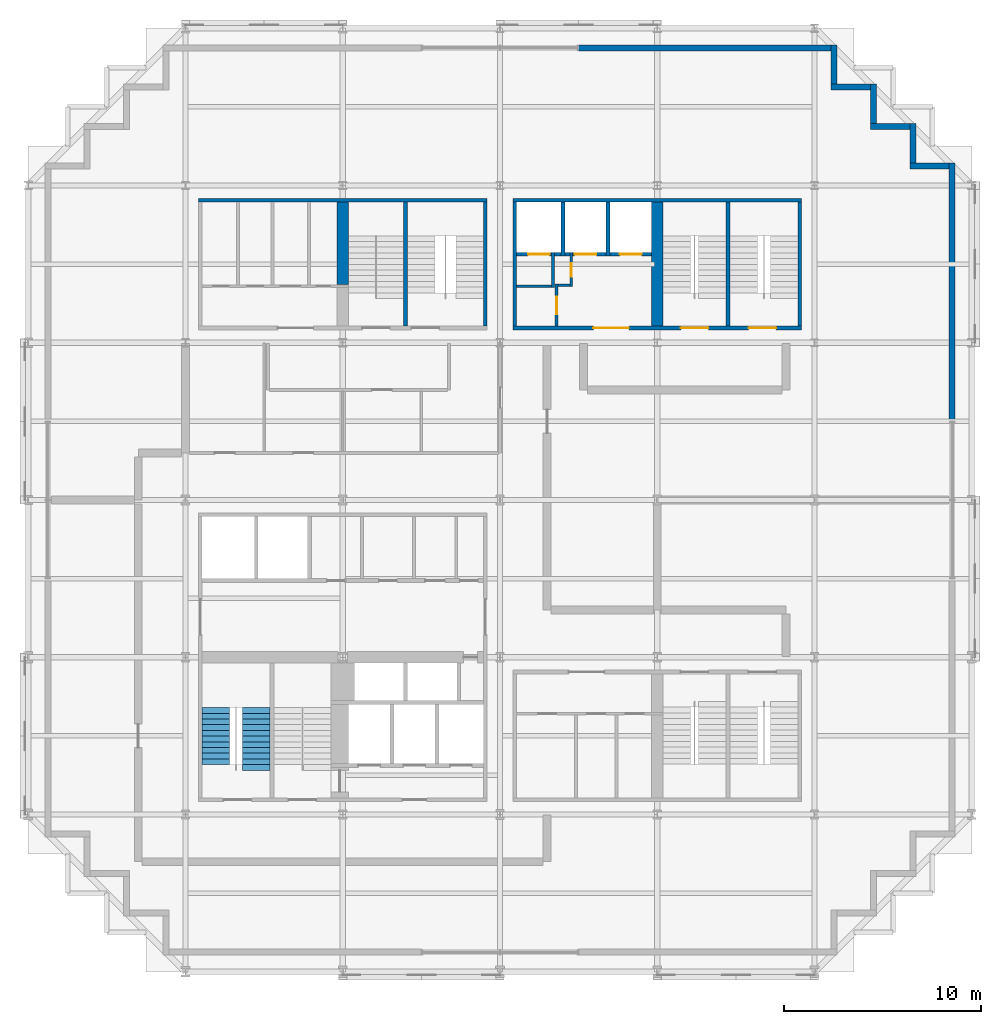
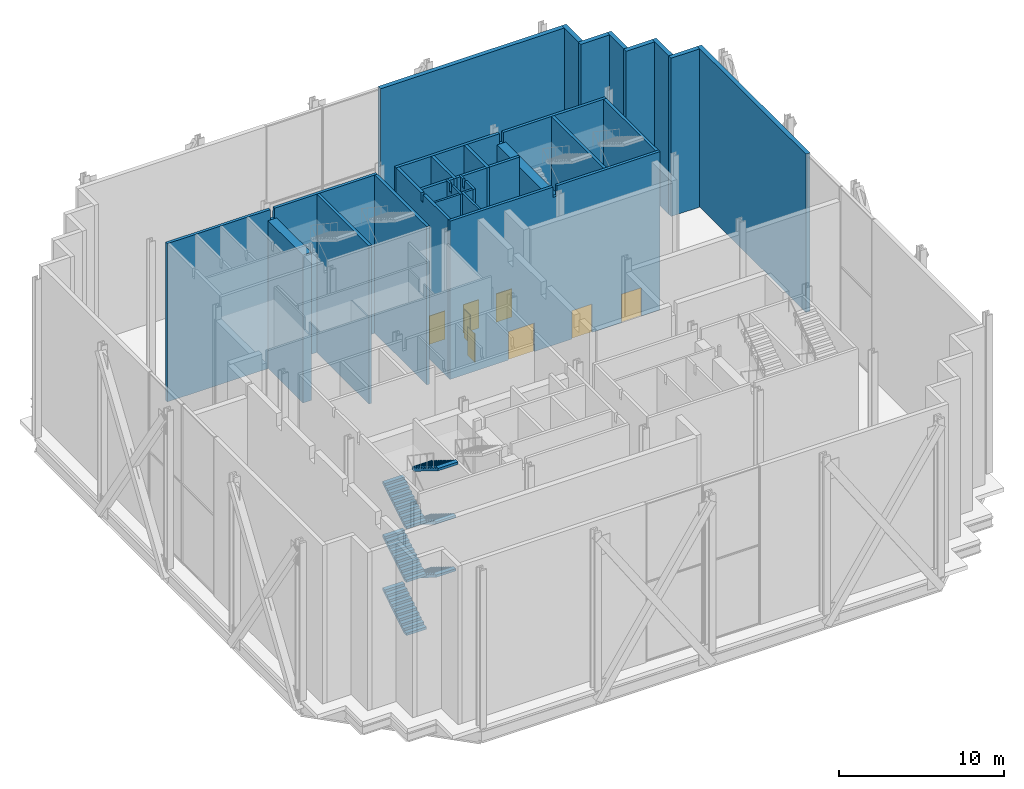
# One storey, part 10 of 14: 30 walls, 8 doors, 6 stair flights, 8 openings, 1 element without a shape of its own.
"""IFC4 building model written with IfcOpenShell, lengths in metres."""

from ifc_helpers import new_model, si_unit, direction, frame, frame_2d, origin, place, context, subcontext, project, spatial, polyline, rectangle, outline, extrude, material, layer, layer_set, type_object, element, fill, aggregate, save


model = new_model("IFC4")

# Units and contexts
model_context = context("Model", 3, precision=1e-05, world=origin(), true_north=direction((0.0, 1.0)))
body_context = subcontext(model_context, "Body", "Model", "MODEL_VIEW")
ifc_project = project(units=[si_unit("LENGTHUNIT", "METRE"), si_unit("AREAUNIT", "SQUARE_METRE"), si_unit("VOLUMEUNIT", "CUBIC_METRE"), si_unit("PLANEANGLEUNIT", "RADIAN"), si_unit("MASSUNIT", "GRAM", prefix="KILO")], contexts=[model_context])

# Site, building, storey
site_placement = place(None, origin())
site = spatial("IfcSite", under=ifc_project, at=site_placement, CompositionType="ELEMENT")
building_placement = place(site_placement, origin())
building = spatial("IfcBuilding", under=site, at=building_placement, Name="Immortelle Media Tower", CompositionType="ELEMENT")
storey_placement = place(building_placement, frame((0.0, 0.0, 9.0)))
storey = spatial("IfcBuildingStorey", under=building, at=storey_placement, Name="L01", CompositionType="ELEMENT", Elevation=9.0)

# Walls
ifc_material_1 = material(Name="Fire-rated gypsum board", Category="gypsum")
ifc_layer_1 = layer(ifc_material_1, 0.02490234375)
ifc_material_2 = material(Name="Steel ASTM A653 SS Gr 50 stud frame with mineral wool", Category="steel")
ifc_layer_2 = layer(ifc_material_2, 0.10009765625)
ifc_layer_3 = layer(ifc_material_1, 0.02490234375)
ifc_layer_set_1 = layer_set([ifc_layer_1, ifc_layer_2, ifc_layer_3], Name="Steel ASTM A653 SS Gr 50 stud frame with mineral wool")
wall_type_1 = type_object("IfcWallType", Name="Core partition 150", PredefinedType="PARTITIONING", material=ifc_layer_set_1)
wall_1_placement = place(storey_placement, frame((24.85009765625, 34.875, 0.0), z_axis=(0.0, 0.0, 1.0), x_axis=(1.0, 0.0, 0.0)))
element("IfcWall", 1, at=wall_1_placement, inside=storey, type_object=wall_type_1, Name="Core partition NE", PredefinedType="PARTITIONING", context=body_context, shape_type="SweptSolid", body=[
    extrude(rectangle(XDim=1.77490234375, YDim=0.14990234375, at=frame_2d((0.887451171875, 0.0))), origin(), (0.0, 0.0, 1.0), 11.699951171875),
])
wall_2_placement = place(storey_placement, frame((26.699951171875, 34.800048828125, 0.0), z_axis=(0.0, 0.0, 1.0), x_axis=(0.0, 1.0, 0.0)))
element("IfcWall", 2, at=wall_2_placement, inside=storey, type_object=wall_type_1, Name="Core partition NE", PredefinedType="PARTITIONING", context=body_context, shape_type="SweptSolid", body=[
    extrude(outline(polyline([(0.0, 0.0), (1.800048828125, 0.0), (1.800048828125, 11.699951171875), (1.319580078125, 11.699951171875), (1.318603515625, 11.08203125), (1.08154296875, 11.08203125), (1.08056640625, 11.699951171875), (0.0, 11.699951171875), (0.0, 0.0)])), frame((0.0, 0.074951171875, 0.0), z_axis=(0.0, -1.0, 0.0), x_axis=(1.0, 0.0, 0.0)), (0.0, 0.0, 1.0), 0.14990234375),
])

# Wall, opening, door
wall_3_placement = place(storey_placement, frame((26.875, 32.85009765625, 0.0), z_axis=(0.0, 0.0, 1.0), x_axis=(0.0, 1.0, 0.0)))
wall_3 = element("IfcWall", 3, at=wall_3_placement, inside=storey, type_object=wall_type_1, Name="Core partition NE", PredefinedType="PARTITIONING", context=body_context, shape_type="SweptSolid", body=[
    extrude(rectangle(XDim=2.14990234375, YDim=0.14990234375, at=frame_2d((1.074951171875, 0.0))), origin(), (0.0, 0.0, 1.0), 11.699951171875),
])
opening_1_placement = place(wall_3_placement, frame((0.60009765625, 0.0, 0.0)))
opening_1 = element("IfcOpeningElement", 4, at=opening_1_placement, cuts=wall_3, Name="Opening P1-K029", PredefinedType="OPENING", context=body_context, shape_type="SweptSolid", body=[
    extrude(rectangle(XDim=0.89990234375, YDim=2.10009765625, at=frame_2d((0.449951171875, 1.050048828125))), frame((0.0, 0.0849609375, 0.0), z_axis=(0.0, -1.0, 0.0), x_axis=(1.0, 0.0, 0.0)), (0.0, 0.0, 1.0), 0.169921875),
])
ifc_material_3 = material(Name="Galvanised steel door leaf and frame ASTM A653", Category="steel")
door_type_1 = type_object("IfcDoorType", Name="Service door 900 x 2100", OperationType="NOTDEFINED", PredefinedType="NOTDEFINED", material=ifc_material_3)
door_1_placement = place(opening_1_placement, origin())
door_1 = element("IfcDoor", 5, at=door_1_placement, inside=storey, type_object=door_type_1, Name="Service P1-K029", OperationType="SINGLE_SWING_LEFT", OverallHeight=2.10009765625, OverallWidth=0.89990234375, PredefinedType="NOTDEFINED", context=body_context, shape_type="SweptSolid", body=[
    extrude(rectangle(XDim=0.89990234375, YDim=2.10009765625, at=frame_2d((0.449951171875, 1.050048828125))), frame((0.0, 0.02490234375, 0.0), z_axis=(0.0, -1.0, 0.0), x_axis=(1.0, 0.0, 0.0)), (0.0, 0.0, 1.0), 0.050048828125),
])
fill(opening_1, door_1)

# Wall
wall_4_placement = place(storey_placement, frame((26.949951171875, 34.925048828125, 0.0), z_axis=(0.0, 0.0, 1.0), x_axis=(1.0, 0.0, 0.0)))
element("IfcWall", 6, at=wall_4_placement, inside=storey, type_object=wall_type_1, Name="Core partition NE", PredefinedType="PARTITIONING", context=body_context, shape_type="SweptSolid", body=[
    extrude(rectangle(XDim=0.60009765625, YDim=0.14990234375, at=frame_2d((0.300048828125, 0.0))), origin(), (0.0, 0.0, 1.0), 11.699951171875),
])

# Wall, opening, door
wall_5_placement = place(storey_placement, frame((27.625, 34.85009765625, 0.0), z_axis=(0.0, 0.0, 1.0), x_axis=(0.0, 1.0, 0.0)))
wall_5 = element("IfcWall", 7, at=wall_5_placement, inside=storey, type_object=wall_type_1, Name="Core partition NE", PredefinedType="PARTITIONING", context=body_context, shape_type="SweptSolid", body=[
    extrude(outline(polyline([(0.0, 0.0), (1.75, 0.0), (1.75, 11.699951171875), (1.26953125, 11.699951171875), (1.2685546875, 11.08203125), (1.031494140625, 11.08203125), (1.030517578125, 11.699951171875), (0.0, 11.699951171875), (0.0, 0.0)])), frame((0.0, 0.074951171875, 0.0), z_axis=(0.0, -1.0, 0.0), x_axis=(1.0, 0.0, 0.0)), (0.0, 0.0, 1.0), 0.14990234375),
])
opening_2_placement = place(wall_5_placement, frame((0.5, 0.0, 0.0)))
opening_2 = element("IfcOpeningElement", 8, at=opening_2_placement, cuts=wall_5, Name="Opening P1-K030", PredefinedType="OPENING", context=body_context, shape_type="SweptSolid", body=[
    extrude(rectangle(XDim=0.699951171875, YDim=2.10009765625, at=frame_2d((0.35009765625, 1.050048828125))), frame((0.0, 0.0849609375, 0.0), z_axis=(0.0, -1.0, 0.0), x_axis=(1.0, 0.0, 0.0)), (0.0, 0.0, 1.0), 0.169921875),
])
door_type_2 = type_object("IfcDoorType", Name="Service door 700 x 2100", OperationType="NOTDEFINED", PredefinedType="NOTDEFINED", material=ifc_material_3)
door_2_placement = place(opening_2_placement, origin())
door_2 = element("IfcDoor", 9, at=door_2_placement, inside=storey, type_object=door_type_2, Name="Service P1-K030", OperationType="SINGLE_SWING_RIGHT", OverallHeight=2.10009765625, OverallWidth=0.699951171875, PredefinedType="NOTDEFINED", context=body_context, shape_type="SweptSolid", body=[
    extrude(rectangle(XDim=0.699951171875, YDim=2.10009765625, at=frame_2d((0.35009765625, 1.050048828125))), frame((0.0, 0.02490234375, 0.0), z_axis=(0.0, -1.0, 0.0), x_axis=(1.0, 0.0, 0.0)), (0.0, 0.0, 1.0), 0.050048828125),
])
fill(opening_2, door_2)

# Wall
ifc_layer_4 = layer(ifc_material_1, 0.03759765625)
ifc_layer_5 = layer(ifc_material_2, 0.125)
ifc_layer_6 = layer(ifc_material_1, 0.03759765625)
ifc_layer_set_2 = layer_set([ifc_layer_4, ifc_layer_5, ifc_layer_6], Name="Steel ASTM A653 SS Gr 50 stud frame with mineral wool")
wall_type_2 = type_object("IfcWallType", Name="Core shaft wall 200", PredefinedType="PARTITIONING", material=ifc_layer_set_2)
wall_6_placement = place(storey_placement, frame((24.75, 32.85009765625, 0.0), z_axis=(0.0, 0.0, 1.0), x_axis=(0.0, 1.0, 0.0)))
element("IfcWall", 10, at=wall_6_placement, inside=storey, type_object=wall_type_2, Name="Core shaft wall NE", PredefinedType="PARTITIONING", context=body_context, shape_type="SweptSolid", body=[
    extrude(outline(polyline([(0.0, 0.0), (6.2998046875, 0.0), (6.300048828125, 11.699951171875), (3.26953125, 11.699951171875), (3.2685546875, 11.08203125), (3.031494140625, 11.08203125), (3.030517578125, 11.699951171875), (0.0, 11.699951171875), (0.0, 0.0)])), frame((0.0, 0.10009765625, 0.0), z_axis=(0.0, -1.0, 0.0), x_axis=(1.0, 0.0, 0.0)), (0.0, 0.0, 1.0), 0.199951171875),
])

# Wall, opening, door
wall_7_placement = place(storey_placement, frame((24.85009765625, 36.5, 0.0), z_axis=(0.0, 0.0, 1.0), x_axis=(1.0, 0.0, 0.0)))
wall_7 = element("IfcWall", 11, at=wall_7_placement, inside=storey, type_object=wall_type_2, Name="Core shaft wall NE", PredefinedType="PARTITIONING", context=body_context, shape_type="SweptSolid", body=[
    extrude(rectangle(XDim=1.77490234375, YDim=0.199951171875, at=frame_2d((0.887451171875, 0.0))), origin(), (0.0, 0.0, 1.0), 11.699951171875),
])
opening_3_placement = place(wall_7_placement, frame((0.574951171875, 0.0, 0.0)))
opening_3 = element("IfcOpeningElement", 12, at=opening_3_placement, cuts=wall_7, Name="Opening LD", PredefinedType="OPENING", context=body_context, shape_type="SweptSolid", body=[
    extrude(rectangle(XDim=1.10009765625, YDim=2.10009765625, at=frame_2d((0.550048828125, 1.050048828125))), frame((0.0, 0.10986328125, 0.0), z_axis=(0.0, -1.0, 0.0), x_axis=(1.0, 0.0, 0.0)), (0.0, 0.0, 1.0), 0.219970703125),
])
ifc_material_4 = material(Name="Stainless steel AISI 304", Category="steel")
door_type_3 = type_object("IfcDoorType", Name="Landing door 1100 x 2100", OperationType="SLIDING_TO_LEFT", PredefinedType="NOTDEFINED", material=ifc_material_4)
door_3_placement = place(opening_3_placement, origin())
door_3 = element("IfcDoor", 13, at=door_3_placement, inside=storey, type_object=door_type_3, Name="Landing door LR1 L01", OperationType="SLIDING_TO_LEFT", OverallHeight=2.10009765625, OverallWidth=1.10009765625, PredefinedType="NOTDEFINED", context=body_context, shape_type="SweptSolid", body=[
    extrude(rectangle(XDim=1.10009765625, YDim=2.10009765625, at=frame_2d((0.550048828125, 1.050048828125))), frame((0.0, 0.02490234375, 0.0), z_axis=(0.0, -1.0, 0.0), x_axis=(1.0, 0.0, 0.0)), (0.0, 0.0, 1.0), 0.050048828125),
])
fill(opening_3, door_3)

# Walls
wall_8_placement = place(storey_placement, frame((26.77490234375, 36.5, 0.0), z_axis=(0.0, 0.0, 1.0), x_axis=(1.0, 0.0, 0.0)))
element("IfcWall", 14, at=wall_8_placement, inside=storey, type_object=wall_type_2, Name="Core shaft wall NE", PredefinedType="PARTITIONING", context=body_context, shape_type="SweptSolid", body=[
    extrude(rectangle(XDim=0.3251953125, YDim=0.199951171875, at=frame_2d((0.16259765625, 0.0))), origin(), (0.0, 0.0, 1.0), 11.699951171875),
])
wall_9_placement = place(storey_placement, frame((27.199951171875, 36.39990234375, 0.0), z_axis=(0.0, 0.0, 1.0), x_axis=(0.0, 1.0, 0.0)))
element("IfcWall", 15, at=wall_9_placement, inside=storey, type_object=wall_type_2, Name="Core shaft wall NE", PredefinedType="PARTITIONING", context=body_context, shape_type="SweptSolid", body=[
    extrude(rectangle(XDim=2.75, YDim=0.199951171875, at=frame_2d((1.375, 0.0))), origin(), (0.0, 0.0, 1.0), 11.699951171875),
])
wall_10_placement = place(storey_placement, frame((27.300048828125, 36.5, 0.0), z_axis=(0.0, 0.0, 1.0), x_axis=(1.0, 0.0, 0.0)))
element("IfcWall", 16, at=wall_10_placement, inside=storey, type_object=wall_type_2, Name="Core shaft wall NE", PredefinedType="PARTITIONING", context=body_context, shape_type="SweptSolid", body=[
    extrude(rectangle(XDim=0.25, YDim=0.199951171875, at=frame_2d((0.125, 0.0))), origin(), (0.0, 0.0, 1.0), 11.699951171875),
])

# Wall, opening, door
wall_11_placement = place(storey_placement, frame((27.699951171875, 36.5, 0.0), z_axis=(0.0, 0.0, 1.0), x_axis=(1.0, 0.0, 0.0)))
wall_11 = element("IfcWall", 17, at=wall_11_placement, inside=storey, type_object=wall_type_2, Name="Core shaft wall NE", PredefinedType="PARTITIONING", context=body_context, shape_type="SweptSolid", body=[
    extrude(rectangle(XDim=1.699951171875, YDim=0.199951171875, at=frame_2d((0.85009765625, 0.0))), origin(), (0.0, 0.0, 1.0), 11.699951171875),
])
opening_4_placement = place(wall_11_placement, frame((0.10009765625, 0.0, 0.0)))
opening_4 = element("IfcOpeningElement", 18, at=opening_4_placement, cuts=wall_11, Name="Opening LD", PredefinedType="OPENING", context=body_context, shape_type="SweptSolid", body=[
    extrude(rectangle(XDim=1.10009765625, YDim=2.10009765625, at=frame_2d((0.550048828125, 1.050048828125))), frame((0.0, 0.10986328125, 0.0), z_axis=(0.0, -1.0, 0.0), x_axis=(1.0, 0.0, 0.0)), (0.0, 0.0, 1.0), 0.219970703125),
])
door_4_placement = place(opening_4_placement, origin())
door_4 = element("IfcDoor", 19, at=door_4_placement, inside=storey, type_object=door_type_3, Name="Landing door LR2 L01", OperationType="SLIDING_TO_LEFT", OverallHeight=2.10009765625, OverallWidth=1.10009765625, PredefinedType="NOTDEFINED", context=body_context, shape_type="SweptSolid", body=[
    extrude(rectangle(XDim=1.10009765625, YDim=2.10009765625, at=frame_2d((0.550048828125, 1.050048828125))), frame((0.0, 0.02490234375, 0.0), z_axis=(0.0, -1.0, 0.0), x_axis=(1.0, 0.0, 0.0)), (0.0, 0.0, 1.0), 0.050048828125),
])
fill(opening_4, door_4)

# Wall
wall_12_placement = place(storey_placement, frame((29.5, 36.39990234375, 0.0), z_axis=(0.0, 0.0, 1.0), x_axis=(0.0, 1.0, 0.0)))
element("IfcWall", 20, at=wall_12_placement, inside=storey, type_object=wall_type_2, Name="Core shaft wall NE", PredefinedType="PARTITIONING", context=body_context, shape_type="SweptSolid", body=[
    extrude(rectangle(XDim=2.75, YDim=0.199951171875, at=frame_2d((1.375, 0.0))), origin(), (0.0, 0.0, 1.0), 11.699951171875),
])

# Wall, opening, door
wall_13_placement = place(storey_placement, frame((29.60009765625, 36.5, 0.0), z_axis=(0.0, 0.0, 1.0), x_axis=(1.0, 0.0, 0.0)))
wall_13 = element("IfcWall", 21, at=wall_13_placement, inside=storey, type_object=wall_type_2, Name="Core shaft wall NE", PredefinedType="PARTITIONING", context=body_context, shape_type="SweptSolid", body=[
    extrude(rectangle(XDim=2.099853515625, YDim=0.199951171875, at=frame_2d((1.0498046875, 0.0))), origin(), (0.0, 0.0, 1.0), 11.699951171875),
])
opening_5_placement = place(wall_13_placement, frame((0.5, 0.0, 0.0)))
opening_5 = element("IfcOpeningElement", 22, at=opening_5_placement, cuts=wall_13, Name="Opening LD", PredefinedType="OPENING", context=body_context, shape_type="SweptSolid", body=[
    extrude(rectangle(XDim=1.10009765625, YDim=2.10009765625, at=frame_2d((0.550048828125, 1.050048828125))), frame((0.0, 0.10986328125, 0.0), z_axis=(0.0, -1.0, 0.0), x_axis=(1.0, 0.0, 0.0)), (0.0, 0.0, 1.0), 0.219970703125),
])
door_5_placement = place(opening_5_placement, origin())
door_5 = element("IfcDoor", 23, at=door_5_placement, inside=storey, type_object=door_type_3, Name="Landing door LR3 L01", OperationType="SLIDING_TO_LEFT", OverallHeight=2.10009765625, OverallWidth=1.10009765625, PredefinedType="NOTDEFINED", context=body_context, shape_type="SweptSolid", body=[
    extrude(rectangle(XDim=1.10009765625, YDim=2.10009765625, at=frame_2d((0.550048828125, 1.050048828125))), frame((0.0, 0.02490234375, 0.0), z_axis=(0.0, -1.0, 0.0), x_axis=(1.0, 0.0, 0.0)), (0.0, 0.0, 1.0), 0.050048828125),
])
fill(opening_5, door_5)

# Walls
ifc_material_5 = material(Name="Pale aluminium cladding panel", Category="aluminium")
ifc_layer_7 = layer(ifc_material_5, 0.030029296875)
ifc_layer_8 = layer(ifc_material_2, 0.257568359375)
ifc_material_6 = material(Name="Moisture-resistant gypsum board", Category="gypsum")
ifc_layer_9 = layer(ifc_material_6, 0.012451171875)
ifc_layer_set_3 = layer_set([ifc_layer_7, ifc_layer_8, ifc_layer_9], Name="Steel ASTM A653 SS Gr 50 stud frame with mineral wool")
wall_type_3 = type_object("IfcWallType", Name="Pale metal clad wall 300", PredefinedType="STANDARD", material=ifc_layer_set_3)
wall_14_placement = place(storey_placement, frame((47.0, 28.0, 0.0), z_axis=(0.0, 0.0, 1.0), x_axis=(0.0, 1.0, 0.0)))
element("IfcWall", 24, at=wall_14_placement, inside=storey, type_object=wall_type_3, Name="Studio wall L01 E 14-3", PredefinedType="STANDARD", context=body_context, shape_type="SweptSolid", body=[
    extrude(rectangle(XDim=13.14990234375, YDim=0.300048828125, at=frame_2d((6.574951171875, 0.0))), origin(), (0.0, 0.0, 1.0), 11.699951171875),
])
for number, where, z_axis, x_axis, name in (
    (25, (46.85009765625, 41.0, 0.0), (0.0, 0.0, 1.0), (-1.0, 0.0, 0.0), "Studio wall L01 N 15"),
    (26, (45.0, 41.14990234375, 0.0), (0.0, 0.0, 1.0), (0.0, 1.0, 0.0), "Studio wall L01 E 16"),
    (27, (44.85009765625, 43.0, 0.0), (0.0, 0.0, 1.0), (-1.0, 0.0, 0.0), "Studio wall L01 N 17"),
    (28, (43.0, 43.14990234375, 0.0), (0.0, 0.0, 1.0), (0.0, 1.0, 0.0), "Studio wall L01 E 18"),
    (29, (42.85009765625, 45.0, 0.0), (0.0, 0.0, 1.0), (-1.0, 0.0, 0.0), "Studio wall L01 N 19"),
    (30, (41.0, 45.14990234375, 0.0), (0.0, 0.0, 1.0), (0.0, 1.0, 0.0), "Studio wall L01 E 20"),
):
    element("IfcWall", number, at=place(storey_placement, frame(where, z_axis=z_axis, x_axis=x_axis)), inside=storey, type_object=wall_type_3, Name=name, PredefinedType="STANDARD", context=body_context, shape_type="SweptSolid", body=[
        extrude(rectangle(XDim=2.0, YDim=0.300048828125, at=frame_2d((1.0, 0.0))), origin(), (0.0, 0.0, 1.0), 11.699951171875),
    ])
wall_15_placement = place(storey_placement, frame((40.85009765625, 47.0, 0.0), z_axis=(0.0, 0.0, 1.0), x_axis=(-1.0, 0.0, 0.0)))
element("IfcWall", 31, at=wall_15_placement, inside=storey, type_object=wall_type_3, Name="Studio wall L01 N 21-1", PredefinedType="STANDARD", context=body_context, shape_type="SweptSolid", body=[
    extrude(rectangle(XDim=12.85009765625, YDim=0.300048828125, at=frame_2d((6.425048828125, 0.0))), origin(), (0.0, 0.0, 1.0), 11.699951171875),
])
ifc_material_7 = material(Name="Concrete C60", Category="concrete")
ifc_layer_10 = layer(ifc_material_7, 0.199951171875)
ifc_layer_set_4 = layer_set([ifc_layer_10], Name="Concrete C60")
wall_type_4 = type_object("IfcWallType", Name="Stair shaft wall 200", PredefinedType="PARTITIONING", material=ifc_layer_set_4)
wall_16_placement = place(storey_placement, frame((8.64990234375, 39.25, 0.0), z_axis=(0.0, 0.0, 1.0), x_axis=(1.0, 0.0, 0.0)))
element("IfcWall", 32, at=wall_16_placement, inside=storey, type_object=wall_type_4, Name="Stair shaft wall NW", PredefinedType="PARTITIONING", context=body_context, shape_type="SweptSolid", body=[
    extrude(outline(polyline([(0.0, 0.0), (14.7001953125, 0.0), (14.699951171875, 11.699951171875), (7.488525390625, 11.699951171875), (7.487548828125, 10.931884765625), (7.21240234375, 10.931884765625), (7.21142578125, 11.699951171875), (0.0, 11.699951171875), (0.0, 0.0)])), frame((0.0, 0.10009765625, 0.0), z_axis=(0.0, -1.0, 0.0), x_axis=(1.0, 0.0, 0.0)), (0.0, 0.0, 1.0), 0.199951171875),
])
for number, where, z_axis, x_axis, name in (
    (33, (19.199951171875, 32.85009765625, 0.0), (0.0, 0.0, 1.0), (0.0, 1.0, 0.0), "Stair shaft wall NW"),
    (34, (23.25, 32.85009765625, 0.0), (0.0, 0.0, 1.0), (0.0, 1.0, 0.0), "Stair shaft wall NW"),
):
    element("IfcWall", number, at=place(storey_placement, frame(where, z_axis=z_axis, x_axis=x_axis)), inside=storey, type_object=wall_type_4, Name=name, PredefinedType="PARTITIONING", context=body_context, shape_type="SweptSolid", body=[
        extrude(rectangle(XDim=6.2998046875, YDim=0.199951171875, at=frame_2d((3.14990234375, 0.0))), origin(), (0.0, 0.0, 1.0), 11.699951171875),
    ])

# Wall, openings, doors
wall_17_placement = place(storey_placement, frame((24.64990234375, 32.75, 0.0), z_axis=(0.0, 0.0, 1.0), x_axis=(1.0, 0.0, 0.0)))
wall_17 = element("IfcWall", 35, at=wall_17_placement, inside=storey, type_object=wall_type_4, Name="Stair shaft wall NE", PredefinedType="PARTITIONING", context=body_context, shape_type="SweptSolid", body=[
    extrude(outline(polyline([(0.0, 0.0), (14.7001953125, 0.0), (14.699951171875, 11.699951171875), (7.488525390625, 11.699951171875), (7.487548828125, 10.931884765625), (7.21240234375, 10.931884765625), (7.21142578125, 11.699951171875), (0.0, 11.699951171875), (0.0, 0.0)])), frame((0.0, 0.10009765625, 0.0), z_axis=(0.0, -1.0, 0.0), x_axis=(1.0, 0.0, 0.0)), (0.0, 0.0, 1.0), 0.199951171875),
])
opening_6_placement = place(wall_17_placement, frame((4.10009765625, 0.0, 0.0)))
opening_6 = element("IfcOpeningElement", 36, at=opening_6_placement, cuts=wall_17, Name="Opening P1-K032", PredefinedType="OPENING", context=body_context, shape_type="SweptSolid", body=[
    extrude(rectangle(XDim=1.800048828125, YDim=2.10009765625, at=frame_2d((0.89990234375, 1.050048828125))), frame((0.0, 0.10986328125, 0.0), z_axis=(0.0, -1.0, 0.0), x_axis=(1.0, 0.0, 0.0)), (0.0, 0.0, 1.0), 0.219970703125),
])
opening_7_placement = place(wall_17_placement, frame((8.550048828125, 0.0, 0.0)))
opening_7 = element("IfcOpeningElement", 37, at=opening_7_placement, cuts=wall_17, Name="Opening P1-K034", PredefinedType="OPENING", context=body_context, shape_type="SweptSolid", body=[
    extrude(rectangle(XDim=1.39990234375, YDim=2.10009765625, at=frame_2d((0.699951171875, 1.050048828125))), frame((0.0, 0.10986328125, 0.0), z_axis=(0.0, -1.0, 0.0), x_axis=(1.0, 0.0, 0.0)), (0.0, 0.0, 1.0), 0.219970703125),
])
opening_8_placement = place(wall_17_placement, frame((12.0, 0.0, 0.0)))
opening_8 = element("IfcOpeningElement", 38, at=opening_8_placement, cuts=wall_17, Name="Opening P1-K035", PredefinedType="OPENING", context=body_context, shape_type="SweptSolid", body=[
    extrude(rectangle(XDim=1.39990234375, YDim=2.10009765625, at=frame_2d((0.699951171875, 1.050048828125))), frame((0.0, 0.10986328125, 0.0), z_axis=(0.0, -1.0, 0.0), x_axis=(1.0, 0.0, 0.0)), (0.0, 0.0, 1.0), 0.219970703125),
])
door_type_4 = type_object("IfcDoorType", Name="Lift lobby door 1800 x 2100", OperationType="DOUBLE_DOOR_SINGLE_SWING", PredefinedType="NOTDEFINED", material=ifc_material_3)
door_6_placement = place(opening_6_placement, origin())
door_6 = element("IfcDoor", 39, at=door_6_placement, inside=storey, type_object=door_type_4, Name="Lift lobby P1-K032", OperationType="DOUBLE_DOOR_SINGLE_SWING", OverallHeight=2.10009765625, OverallWidth=1.800048828125, PredefinedType="NOTDEFINED", context=body_context, shape_type="SweptSolid", body=[
    extrude(rectangle(XDim=1.800048828125, YDim=2.10009765625, at=frame_2d((0.89990234375, 1.050048828125))), frame((0.0, 0.02490234375, 0.0), z_axis=(0.0, -1.0, 0.0), x_axis=(1.0, 0.0, 0.0)), (0.0, 0.0, 1.0), 0.050048828125),
])
fill(opening_6, door_6)
door_type_5 = type_object("IfcDoorType", Name="Stair door 1400 x 2100", OperationType="DOUBLE_DOOR_SINGLE_SWING", PredefinedType="NOTDEFINED", material=ifc_material_3)
door_7_placement = place(opening_7_placement, origin())
door_7 = element("IfcDoor", 40, at=door_7_placement, inside=storey, type_object=door_type_5, Name="Stair P1-K034", OperationType="DOUBLE_DOOR_SINGLE_SWING", OverallHeight=2.10009765625, OverallWidth=1.39990234375, PredefinedType="NOTDEFINED", context=body_context, shape_type="SweptSolid", body=[
    extrude(rectangle(XDim=1.39990234375, YDim=2.10009765625, at=frame_2d((0.699951171875, 1.050048828125))), frame((0.0, 0.02490234375, 0.0), z_axis=(0.0, -1.0, 0.0), x_axis=(1.0, 0.0, 0.0)), (0.0, 0.0, 1.0), 0.050048828125),
])
fill(opening_7, door_7)
door_8_placement = place(opening_8_placement, origin())
door_8 = element("IfcDoor", 41, at=door_8_placement, inside=storey, type_object=door_type_5, Name="Stair P1-K035", OperationType="DOUBLE_DOOR_SINGLE_SWING", OverallHeight=2.10009765625, OverallWidth=1.39990234375, PredefinedType="NOTDEFINED", context=body_context, shape_type="SweptSolid", body=[
    extrude(rectangle(XDim=1.39990234375, YDim=2.10009765625, at=frame_2d((0.699951171875, 1.050048828125))), frame((0.0, 0.02490234375, 0.0), z_axis=(0.0, -1.0, 0.0), x_axis=(1.0, 0.0, 0.0)), (0.0, 0.0, 1.0), 0.050048828125),
])
fill(opening_8, door_8)

# Walls
wall_18_placement = place(storey_placement, frame((24.64990234375, 39.25, 0.0), z_axis=(0.0, 0.0, 1.0), x_axis=(1.0, 0.0, 0.0)))
element("IfcWall", 42, at=wall_18_placement, inside=storey, type_object=wall_type_4, Name="Stair shaft wall NE", PredefinedType="PARTITIONING", context=body_context, shape_type="SweptSolid", body=[
    extrude(outline(polyline([(0.0, 0.0), (14.7001953125, 0.0), (14.699951171875, 11.699951171875), (7.488525390625, 11.699951171875), (7.487548828125, 10.931884765625), (7.21240234375, 10.931884765625), (7.21142578125, 11.699951171875), (0.0, 11.699951171875), (0.0, 0.0)])), frame((0.0, 0.10009765625, 0.0), z_axis=(0.0, -1.0, 0.0), x_axis=(1.0, 0.0, 0.0)), (0.0, 0.0, 1.0), 0.199951171875),
])
for number, where, z_axis, x_axis, name in (
    (43, (35.60009765625, 32.85009765625, 0.0), (0.0, 0.0, 1.0), (0.0, 1.0, 0.0), "Stair shaft wall NE"),
    (44, (39.25, 32.85009765625, 0.0), (0.0, 0.0, 1.0), (0.0, 1.0, 0.0), "Stair shaft wall NE"),
):
    element("IfcWall", number, at=place(storey_placement, frame(where, z_axis=z_axis, x_axis=x_axis)), inside=storey, type_object=wall_type_4, Name=name, PredefinedType="PARTITIONING", context=body_context, shape_type="SweptSolid", body=[
        extrude(rectangle(XDim=6.2998046875, YDim=0.199951171875, at=frame_2d((3.14990234375, 0.0))), origin(), (0.0, 0.0, 1.0), 11.699951171875),
    ])
ifc_layer_11 = layer(ifc_material_7, 0.60009765625)
ifc_layer_set_5 = layer_set([ifc_layer_11], Name="Concrete C60")
wall_type_5 = type_object("IfcWallType", Name="Stair shaft wall 600", PredefinedType="PARTITIONING", material=ifc_layer_set_5)
wall_19_placement = place(storey_placement, frame((16.0, 34.949951171875, 0.0), z_axis=(0.0, 0.0, 1.0), x_axis=(0.0, 1.0, 0.0)))
element("IfcWall", 45, at=wall_19_placement, inside=storey, type_object=wall_type_5, Name="Stair shaft wall NW", PredefinedType="PARTITIONING", context=body_context, shape_type="SweptSolid", body=[
    extrude(rectangle(XDim=4.199951171875, YDim=0.60009765625, at=frame_2d((2.10009765625, 0.0))), origin(), (0.0, 0.0, 1.0), 10.931884765625),
])
wall_20_placement = place(storey_placement, frame((32.0, 32.85009765625, 0.0), z_axis=(0.0, 0.0, 1.0), x_axis=(0.0, 1.0, 0.0)))
element("IfcWall", 46, at=wall_20_placement, inside=storey, type_object=wall_type_5, Name="Stair shaft wall NE", PredefinedType="PARTITIONING", context=body_context, shape_type="SweptSolid", body=[
    extrude(rectangle(XDim=6.2998046875, YDim=0.60009765625, at=frame_2d((3.14990234375, 0.0))), origin(), (0.0, 0.0, 1.0), 10.931884765625),
])

# Stair, stair flights
ifc_material_8 = material(Name="Steel ASTM A992 Gr 50", Category="steel")
stair_type = type_object("IfcStairType", Name="Stair with flights", PredefinedType="DOUBLE_RETURN_STAIR", material=ifc_material_8)
stair_placement = place(storey_placement, origin())
stair = element("IfcStair", 47, at=stair_placement, inside=storey, type_object=stair_type, Name="Exit stair SW1", PredefinedType="DOUBLE_RETURN_STAIR")
stair_flight_type = type_object("IfcStairFlightType", Name="Stair flight 1400", PredefinedType="STRAIGHT", material=ifc_material_8)
stair_flight_1_placement = place(storey_placement, frame((9.550048828125, 10.5400390625, 0.0), z_axis=(0.0, 0.0, 1.0), x_axis=(0.0, 1.0, 0.0)))
stair_flight_1 = element("IfcStairFlight", 48, at=stair_flight_1_placement, type_object=stair_flight_type, Name="ST SW1 flight 1", NumberOfRisers=11, NumberOfTreads=10, PredefinedType="STRAIGHT", RiserHeight=0.179104478, TreadLength=0.29, context=body_context, shape_type="SweptSolid", body=[
    extrude(outline(polyline([(0.0, 0.0), (0.0, 0.17919921875), (0.2900390625, 0.17919921875), (0.2900390625, 0.358154296875), (0.580078125, 0.358154296875), (0.580078125, 0.537353515625), (0.8701171875, 0.537353515625), (0.8701171875, 0.71630859375), (1.159912109375, 0.71630859375), (1.159912109375, 0.8955078125), (1.449951171875, 0.8955078125), (1.449951171875, 1.07470703125), (1.739990234375, 1.07470703125), (1.739990234375, 1.253662109375), (2.030029296875, 1.253662109375), (2.030029296875, 1.432861328125), (2.320068359375, 1.432861328125), (2.320068359375, 1.612060546875), (2.610107421875, 1.612060546875), (2.610107421875, 1.791015625), (2.89990234375, 1.791015625), (2.89990234375, 1.97021484375), (2.89990234375, 1.61474609375), (0.28515625, 0.0), (0.0, 0.0)])), frame((0.0, 0.699951171875, 0.0), z_axis=(0.0, -1.0, 0.0), x_axis=(1.0, 0.0, 0.0)), (0.0, 0.0, 1.0), 1.39990234375),
])
stair_flight_2_placement = place(storey_placement, frame((11.60009765625, 13.43994140625, 1.97021484375), z_axis=(0.0, 0.0, 1.0), x_axis=(0.0, -1.0, 0.0)))
stair_flight_2 = element("IfcStairFlight", 49, at=stair_flight_2_placement, type_object=stair_flight_type, Name="ST SW1 flight 2", NumberOfRisers=11, NumberOfTreads=10, PredefinedType="STRAIGHT", RiserHeight=0.179104478, TreadLength=0.29, context=body_context, shape_type="SweptSolid", body=[
    extrude(outline(polyline([(0.0, 0.0), (0.0, 0.17919921875), (0.2900390625, 0.17919921875), (0.2900390625, 0.358154296875), (0.580078125, 0.358154296875), (0.580078125, 0.537353515625), (0.8701171875, 0.537353515625), (0.8701171875, 0.71630859375), (1.159912109375, 0.71630859375), (1.159912109375, 0.8955078125), (1.449951171875, 0.8955078125), (1.449951171875, 1.07470703125), (1.739990234375, 1.07470703125), (1.739990234375, 1.253662109375), (2.030029296875, 1.253662109375), (2.030029296875, 1.432861328125), (2.320068359375, 1.432861328125), (2.320068359375, 1.612060546875), (2.610107421875, 1.612060546875), (2.610107421875, 1.791015625), (2.89990234375, 1.791015625), (2.89990234375, 1.97021484375), (2.89990234375, 1.61474609375), (0.28515625, 0.0), (0.0, 0.0)])), frame((0.0, 0.699951171875, 0.0), z_axis=(0.0, -1.0, 0.0), x_axis=(1.0, 0.0, 0.0)), (0.0, 0.0, 1.0), 1.39990234375),
])
stair_flight_3_placement = place(storey_placement, frame((9.550048828125, 10.5400390625, 3.940185546875), z_axis=(0.0, 0.0, 1.0), x_axis=(0.0, 1.0, 0.0)))
stair_flight_3 = element("IfcStairFlight", 50, at=stair_flight_3_placement, type_object=stair_flight_type, Name="ST SW1 flight 3", NumberOfRisers=11, NumberOfTreads=10, PredefinedType="STRAIGHT", RiserHeight=0.179104478, TreadLength=0.29, context=body_context, shape_type="SweptSolid", body=[
    extrude(outline(polyline([(0.0, 0.0), (0.0, 0.17919921875), (0.2900390625, 0.17919921875), (0.2900390625, 0.358154296875), (0.580078125, 0.358154296875), (0.580078125, 0.537353515625), (0.8701171875, 0.537353515625), (0.8701171875, 0.71630859375), (1.159912109375, 0.71630859375), (1.159912109375, 0.8955078125), (1.449951171875, 0.8955078125), (1.449951171875, 1.07470703125), (1.739990234375, 1.07470703125), (1.739990234375, 1.253662109375), (2.030029296875, 1.253662109375), (2.030029296875, 1.432861328125), (2.320068359375, 1.432861328125), (2.320068359375, 1.612060546875), (2.610107421875, 1.612060546875), (2.610107421875, 1.791015625), (2.89990234375, 1.791015625), (2.89990234375, 1.97021484375), (2.89990234375, 1.61474609375), (0.28515625, 0.0), (0.0, 0.0)])), frame((0.0, 0.699951171875, 0.0), z_axis=(0.0, -1.0, 0.0), x_axis=(1.0, 0.0, 0.0)), (0.0, 0.0, 1.0), 1.39990234375),
])
stair_flight_4_placement = place(storey_placement, frame((11.60009765625, 13.43994140625, 5.910400390625), z_axis=(0.0, 0.0, 1.0), x_axis=(0.0, -1.0, 0.0)))
stair_flight_4 = element("IfcStairFlight", 51, at=stair_flight_4_placement, type_object=stair_flight_type, Name="ST SW1 flight 4", NumberOfRisers=11, NumberOfTreads=10, PredefinedType="STRAIGHT", RiserHeight=0.179104478, TreadLength=0.29, context=body_context, shape_type="SweptSolid", body=[
    extrude(outline(polyline([(0.0, 0.0), (0.0, 0.17919921875), (0.2900390625, 0.17919921875), (0.2900390625, 0.358154296875), (0.580078125, 0.358154296875), (0.580078125, 0.537353515625), (0.8701171875, 0.537353515625), (0.8701171875, 0.71630859375), (1.159912109375, 0.71630859375), (1.159912109375, 0.8955078125), (1.449951171875, 0.8955078125), (1.449951171875, 1.07470703125), (1.739990234375, 1.07470703125), (1.739990234375, 1.253662109375), (2.030029296875, 1.253662109375), (2.030029296875, 1.432861328125), (2.320068359375, 1.432861328125), (2.320068359375, 1.612060546875), (2.610107421875, 1.612060546875), (2.610107421875, 1.791015625), (2.89990234375, 1.791015625), (2.89990234375, 1.97021484375), (2.89990234375, 1.61474609375), (0.28515625, 0.0), (0.0, 0.0)])), frame((0.0, 0.699951171875, 0.0), z_axis=(0.0, -1.0, 0.0), x_axis=(1.0, 0.0, 0.0)), (0.0, 0.0, 1.0), 1.39990234375),
])
stair_flight_5_placement = place(storey_placement, frame((9.550048828125, 10.5400390625, 7.880615234375), z_axis=(0.0, 0.0, 1.0), x_axis=(0.0, 1.0, 0.0)))
stair_flight_5 = element("IfcStairFlight", 52, at=stair_flight_5_placement, type_object=stair_flight_type, Name="ST SW1 flight 5", NumberOfRisers=11, NumberOfTreads=10, PredefinedType="STRAIGHT", RiserHeight=0.179104478, TreadLength=0.29, context=body_context, shape_type="SweptSolid", body=[
    extrude(outline(polyline([(0.0, 0.0), (0.0, 0.17919921875), (0.2900390625, 0.17919921875), (0.2900390625, 0.358154296875), (0.580078125, 0.358154296875), (0.580078125, 0.537353515625), (0.8701171875, 0.537353515625), (0.8701171875, 0.71630859375), (1.159912109375, 0.71630859375), (1.159912109375, 0.8955078125), (1.449951171875, 0.8955078125), (1.449951171875, 1.07470703125), (1.739990234375, 1.07470703125), (1.739990234375, 1.253662109375), (2.030029296875, 1.253662109375), (2.030029296875, 1.432861328125), (2.320068359375, 1.432861328125), (2.320068359375, 1.612060546875), (2.610107421875, 1.612060546875), (2.610107421875, 1.791015625), (2.89990234375, 1.791015625), (2.89990234375, 1.97021484375), (2.89990234375, 1.61474609375), (0.28515625, 0.0), (0.0, 0.0)])), frame((0.0, 0.699951171875, 0.0), z_axis=(0.0, -1.0, 0.0), x_axis=(1.0, 0.0, 0.0)), (0.0, 0.0, 1.0), 1.39990234375),
])
stair_flight_6_placement = place(storey_placement, frame((11.60009765625, 13.43994140625, 9.850830078125), z_axis=(0.0, 0.0, 1.0), x_axis=(0.0, -1.0, 0.0)))
stair_flight_6 = element("IfcStairFlight", 53, at=stair_flight_6_placement, type_object=stair_flight_type, Name="ST SW1 flight 6", NumberOfRisers=12, NumberOfTreads=11, PredefinedType="STRAIGHT", RiserHeight=0.179104478, TreadLength=0.29, context=body_context, shape_type="SweptSolid", body=[
    extrude(outline(polyline([(0.0, 0.0), (0.0, 0.17919921875), (0.2900390625, 0.17919921875), (0.2900390625, 0.358154296875), (0.580078125, 0.358154296875), (0.580078125, 0.537353515625), (0.8701171875, 0.537353515625), (0.8701171875, 0.71630859375), (1.159912109375, 0.71630859375), (1.159912109375, 0.8955078125), (1.449951171875, 0.8955078125), (1.449951171875, 1.07470703125), (1.739990234375, 1.07470703125), (1.739990234375, 1.253662109375), (2.030029296875, 1.253662109375), (2.030029296875, 1.432861328125), (2.320068359375, 1.432861328125), (2.320068359375, 1.612060546875), (2.610107421875, 1.612060546875), (2.610107421875, 1.791015625), (2.89990234375, 1.791015625), (2.89990234375, 1.97021484375), (3.18994140625, 1.97021484375), (3.18994140625, 2.149169921875), (3.18994140625, 1.7939453125), (0.28515625, 0.0), (0.0, 0.0)])), frame((0.0, 0.699951171875, 0.0), z_axis=(0.0, -1.0, 0.0), x_axis=(1.0, 0.0, 0.0)), (0.0, 0.0, 1.0), 1.39990234375),
])
aggregate(stair, [stair_flight_1, stair_flight_2, stair_flight_3, stair_flight_4, stair_flight_5, stair_flight_6])

save(model, "model.ifc")
